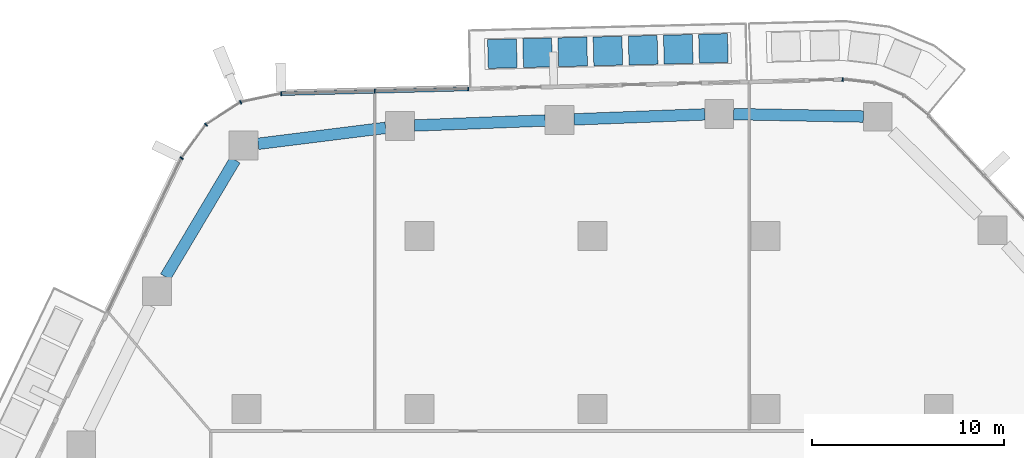
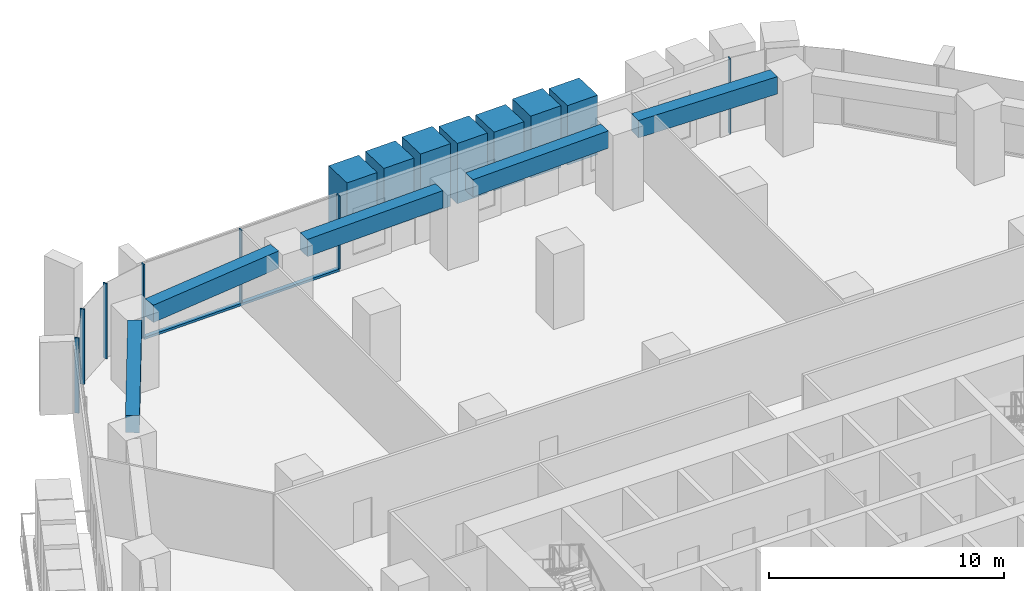
# One storey, part 8 of 23: 15 members, 5 beams, 3 elements without a shape of their own.
"""IFC4 building model written with IfcOpenShell, lengths in metres."""

from ifc_helpers import new_model, si_unit, direction, frame, origin, origin_2d, place, context, subcontext, project, spatial, rectangle, extrude, material, layer, layer_set, material_profile, profile_set, type_object, element, aggregate, save


model = new_model("IFC4")

# Units and contexts
model_context = context("Model", 3, precision=1e-05, world=origin(), true_north=direction((0.0, 1.0)))
body_context = subcontext(model_context, "Body", "Model", "MODEL_VIEW")
ifc_project = project(units=[si_unit("LENGTHUNIT", "METRE"), si_unit("AREAUNIT", "SQUARE_METRE"), si_unit("VOLUMEUNIT", "CUBIC_METRE"), si_unit("PLANEANGLEUNIT", "RADIAN"), si_unit("MASSUNIT", "GRAM", prefix="KILO")], contexts=[model_context])

# Site, building, storey
site_placement = place(None, origin())
site = spatial("IfcSite", under=ifc_project, at=site_placement, CompositionType="ELEMENT")
building_placement = place(site_placement, origin())
building = spatial("IfcBuilding", under=site, at=building_placement, Name="Dongbaek Canopy Tower", CompositionType="ELEMENT")
storey_placement = place(building_placement, frame((0.0, 0.0, 84.699951171875)))
storey = spatial("IfcBuildingStorey", under=building, at=storey_placement, Name="L17", CompositionType="ELEMENT", Elevation=84.699951171875)

# Curtain wall, member
ifc_material_1 = material(Name="Aluminium 6063-T6 pale anodised", Category="aluminium")
ifc_layer = layer(ifc_material_1, 0.199951171875)
ifc_layer_set = layer_set([ifc_layer], Name="CW-1 unitised tower curtain wall")
curtain_wall_type = type_object("IfcCurtainWallType", Name="CW-1 unitised tower curtain wall", PredefinedType="NOTDEFINED", material=ifc_layer_set)
curtain_wall_1_placement = place(storey_placement, origin())
curtain_wall_1 = element("IfcCurtainWall", 1, at=curtain_wall_1_placement, inside=storey, type_object=curtain_wall_type, Name="CW-1 curtain wall K1.1", PredefinedType="NOTDEFINED")
ifc_material_2 = material(Name="Aluminium 6063-T6 pale anodised", Category="aluminium")
ifc_material_profile_1 = material_profile(ifc_material_2, rectangle(XDim=0.199951171875, YDim=0.06005859375, at=origin_2d()), Name="CW-1 mullion 60 x 200")
ifc_profile_set_1 = profile_set([ifc_material_profile_1], Name="Aluminium 6063-T6 pale anodised")
member_type_1 = type_object("IfcMemberType", Name="CW-1 mullion 60 x 200", PredefinedType="MULLION", material=ifc_profile_set_1)
member_1_placement = place(storey_placement, frame((13.006103515625, 35.13134765625, 0.0), z_axis=(0.0, 0.0, 1.0), x_axis=(0.115864166718, 0.993265067779, 0.0)))
member_1 = element("IfcMember", 2, at=member_1_placement, type_object=member_type_1, Name="CW-1 mullion K1.1.4", PredefinedType="MULLION", context=body_context, shape_type="SweptSolid", body=[
    extrude(rectangle(XDim=0.199951171875, YDim=0.06005859375, at=origin_2d()), origin(), (0.0, 0.0, 1.0), 3.900146484375),
])
aggregate(curtain_wall_1, [member_1])

# Curtain wall, members
curtain_wall_2_placement = place(storey_placement, origin())
curtain_wall_2 = element("IfcCurtainWall", 3, at=curtain_wall_2_placement, inside=storey, type_object=curtain_wall_type, Name="CW-1 curtain wall F1.1", PredefinedType="NOTDEFINED")
member_2_placement = place(storey_placement, frame((-6.457763671875, 34.64208984375, 0.1201171875), z_axis=(0.0, 0.0, 1.0), x_axis=(-0.02511909418, 0.999684465773, 0.0)))
member_2 = element("IfcMember", 4, at=member_2_placement, type_object=member_type_1, Name="CW-1 mullion F1.1.1", PredefinedType="MULLION", context=body_context, shape_type="SweptSolid", body=[
    extrude(rectangle(XDim=0.199951171875, YDim=0.06005859375, at=origin_2d()), origin(), (0.0, 0.0, 1.0), 3.780029296875),
])
member_3_placement = place(storey_placement, frame((-11.325439453125, 34.519775390625, 0.1201171875), z_axis=(0.0, 0.0, 1.0), x_axis=(-0.02511909418, 0.999684465773, 0.0)))
member_3 = element("IfcMember", 5, at=member_3_placement, type_object=member_type_1, Name="CW-1 mullion F1.1.2", PredefinedType="MULLION", context=body_context, shape_type="SweptSolid", body=[
    extrude(rectangle(XDim=0.199951171875, YDim=0.06005859375, at=origin_2d()), origin(), (0.0, 0.0, 1.0), 3.780029296875),
])
member_4_placement = place(storey_placement, frame((-16.18408203125, 34.397705078125, 0.1201171875), z_axis=(0.0, 0.0, 1.0), x_axis=(-0.02511909418, 0.999684465773, 0.0)))
member_4 = element("IfcMember", 6, at=member_4_placement, type_object=member_type_1, Name="CW-1 mullion F1.1.3", PredefinedType="MULLION", context=body_context, shape_type="SweptSolid", body=[
    extrude(rectangle(XDim=0.199951171875, YDim=0.06005859375, at=origin_2d()), origin(), (0.0, 0.0, 1.0), 3.780029296875),
])

curtain_wall_3_placement = place(storey_placement, origin())
curtain_wall_3 = element("IfcCurtainWall", 7, at=curtain_wall_3_placement, inside=storey, type_object=curtain_wall_type, Name="CW-1 curtain wall K2.1", PredefinedType="NOTDEFINED")
member_5_placement = place(storey_placement, frame((-18.293212890625, 33.952392578125, 0.0), z_axis=(0.0, 0.0, 1.0), x_axis=(-0.381155192232, 0.924511070477, 0.0)))
member_5 = element("IfcMember", 8, at=member_5_placement, type_object=member_type_1, Name="CW-1 mullion K2.1.2", PredefinedType="MULLION", context=body_context, shape_type="SweptSolid", body=[
    extrude(rectangle(XDim=0.199951171875, YDim=0.06005859375, at=origin_2d()), origin(), (0.0, 0.0, 1.0), 3.900146484375),
])
member_6_placement = place(storey_placement, frame((-20.095458984375, 32.787109375, 0.0), z_axis=(0.0, 0.0, 1.0), x_axis=(-0.686721485984, 0.726920628878, 0.0)))
member_6 = element("IfcMember", 9, at=member_6_placement, type_object=member_type_1, Name="CW-1 mullion K2.1.3", PredefinedType="MULLION", context=body_context, shape_type="SweptSolid", body=[
    extrude(rectangle(XDim=0.199951171875, YDim=0.06005859375, at=origin_2d()), origin(), (0.0, 0.0, 1.0), 3.900146484375),
])
member_7_placement = place(storey_placement, frame((-21.366943359375, 31.04638671875, 0.0), z_axis=(0.0, 0.0, 1.0), x_axis=(-0.807517477071, 0.589843643879, 0.0)))
member_7 = element("IfcMember", 10, at=member_7_placement, type_object=member_type_1, Name="CW-1 mullion K2.1.4", PredefinedType="MULLION", context=body_context, shape_type="SweptSolid", body=[
    extrude(rectangle(XDim=0.199951171875, YDim=0.06005859375, at=origin_2d()), origin(), (0.0, 0.0, 1.0), 3.900146484375),
])
aggregate(curtain_wall_3, [member_5, member_6, member_7])

# Member
ifc_material_3 = material(Name="Aluminium 6063-T6 pale anodised", Category="aluminium")
ifc_material_profile_2 = material_profile(ifc_material_3, rectangle(XDim=0.199951171875, YDim=0.1201171875, at=origin_2d()), Name="CW-1 transom 120 x 200")
ifc_profile_set_2 = profile_set([ifc_material_profile_2], Name="Aluminium 6063-T6 pale anodised")
member_type_2 = type_object("IfcMemberType", Name="CW-1 transom 120 x 200", PredefinedType="USERDEFINED", material=ifc_profile_set_2)
member_8_placement = place(storey_placement, frame((-6.457763671875, 34.64208984375, 0.06005859375), z_axis=(-0.999684488113, -0.025118205091, 0.0), x_axis=(0.025118205091, -0.999684488113, 0.0)))
member_8 = element("IfcMember", 11, at=member_8_placement, type_object=member_type_2, Name="CW-1 transom F1.1.1", ObjectType="TRANSOM", PredefinedType="USERDEFINED", context=body_context, shape_type="SweptSolid", body=[
    extrude(rectangle(XDim=0.199951171875, YDim=0.1201171875, at=origin_2d()), origin(), (0.0, 0.0, 1.0), 9.7294921875),
])

aggregate(curtain_wall_2, [member_2, member_3, member_4, member_8])

# Beams
ifc_material_4 = material(Name="Concrete C80", Category="concrete")
ifc_material_profile_3 = material_profile(ifc_material_4, rectangle(XDim=0.60009765625, YDim=0.89990234375, at=origin_2d()), Name="RC EDGE BEAM 600x900 C80")
ifc_profile_set_3 = profile_set([ifc_material_profile_3], Name="Concrete C80")
beam_type = type_object("IfcBeamType", Name="RC EDGE BEAM 600x900 C80", PredefinedType="BEAM", material=ifc_profile_set_3)
beam_1_placement = place(storey_placement, frame((-22.201416015625, 24.875, 3.449951171875), z_axis=(0.511536684445, 0.859261438951, 0.0), x_axis=(-0.859261438951, 0.511536684445, 0.0)))
element("IfcBeam", 12, at=beam_1_placement, inside=storey, type_object=beam_type, Name="EDGEBEAM:L17:12", PredefinedType="BEAM", context=body_context, shape_type="SweptSolid", body=[
    extrude(rectangle(XDim=0.60009765625, YDim=0.89990234375, at=origin_2d()), origin(), (0.0, 0.0, 1.0), 7.06884765625),
])
beam_2_placement = place(storey_placement, frame((-17.388916015625, 31.79248046875, 3.449951171875), z_axis=(0.992300337098, 0.123854919137, 0.0), x_axis=(-0.123854919137, 0.992300337098, 0.0)))
element("IfcBeam", 13, at=beam_2_placement, inside=storey, type_object=beam_type, Name="EDGEBEAM:L17:13", PredefinedType="BEAM", context=body_context, shape_type="SweptSolid", body=[
    extrude(rectangle(XDim=0.60009765625, YDim=0.89990234375, at=origin_2d()), origin(), (0.0, 0.0, 1.0), 6.684326171875),
])
beam_3_placement = place(storey_placement, frame((-9.256103515625, 32.74267578125, 3.449951171875), z_axis=(0.999265250645, 0.038326999019, 0.0), x_axis=(-0.038326999019, 0.999265250645, 0.0)))
element("IfcBeam", 14, at=beam_3_placement, inside=storey, type_object=beam_type, Name="EDGEBEAM:L17:14", PredefinedType="BEAM", context=body_context, shape_type="SweptSolid", body=[
    extrude(rectangle(XDim=0.60009765625, YDim=0.89990234375, at=origin_2d()), origin(), (0.0, 0.0, 1.0), 6.802978515625),
])
beam_4_placement = place(storey_placement, frame((-0.9580078125, 33.060791015625, 3.449951171875), z_axis=(0.99927189778, 0.038153300073, 0.0), x_axis=(-0.038153300073, 0.99927189778, 0.0)))
element("IfcBeam", 15, at=beam_4_placement, inside=storey, type_object=beam_type, Name="EDGEBEAM:L17:15", PredefinedType="BEAM", context=body_context, shape_type="SweptSolid", body=[
    extrude(rectangle(XDim=0.60009765625, YDim=0.89990234375, at=origin_2d()), origin(), (0.0, 0.0, 1.0), 6.802001953125),
])
beam_5_placement = place(storey_placement, frame((7.339111328125, 33.3349609375, 3.449951171875), z_axis=(0.999822704828, -0.018829734762, 0.0), x_axis=(0.018829734762, 0.999822704828, 0.0)))
element("IfcBeam", 16, at=beam_5_placement, inside=storey, type_object=beam_type, Name="EDGEBEAM:L17:16", PredefinedType="BEAM", context=body_context, shape_type="SweptSolid", body=[
    extrude(rectangle(XDim=0.60009765625, YDim=0.89990234375, at=origin_2d()), origin(), (0.0, 0.0, 1.0), 6.7421875),
])

# Members
ifc_material_5 = material(Name="Concrete C40/50 planter mass with planting", Category="concrete")
ifc_material_profile_4 = material_profile(ifc_material_5, rectangle(XDim=1.5, YDim=1.5, at=origin_2d()), Name="Terrace PLANTER shrub mass 1500 x 1500")
ifc_profile_set_4 = profile_set([ifc_material_profile_4], Name="Concrete C40/50 planter mass with planting")
member_type_3 = type_object("IfcMemberType", Name="Terrace PLANTER shrub mass 1500 x 1500", PredefinedType="USERDEFINED", material=ifc_profile_set_4)
member_9_placement = place(storey_placement, frame((6.286376953125, 36.7529296875, 0.420166015625), z_axis=(0.0, 0.0, 1.0), x_axis=(-0.02511909418, 0.999684465773, 0.0)))
element("IfcMember", 17, at=member_9_placement, inside=storey, type_object=member_type_3, Name="Planter shrubs L17 1.1", ObjectType="PLANTER", PredefinedType="USERDEFINED", context=body_context, shape_type="SweptSolid", body=[
    extrude(rectangle(XDim=1.5, YDim=1.5, at=origin_2d()), origin(), (0.0, 0.0, 1.0), 3.08984375),
])
member_10_placement = place(storey_placement, frame((4.457275390625, 36.70703125, 0.420166015625), z_axis=(0.0, 0.0, 1.0), x_axis=(-0.02511909418, 0.999684465773, 0.0)))
element("IfcMember", 18, at=member_10_placement, inside=storey, type_object=member_type_3, Name="Planter shrubs L17 1.2", ObjectType="PLANTER", PredefinedType="USERDEFINED", context=body_context, shape_type="SweptSolid", body=[
    extrude(rectangle(XDim=1.5, YDim=1.5, at=origin_2d()), origin(), (0.0, 0.0, 1.0), 3.2099609375),
])
member_11_placement = place(storey_placement, frame((2.628173828125, 36.6611328125, 0.420166015625), z_axis=(0.0, 0.0, 1.0), x_axis=(-0.02511909418, 0.999684465773, 0.0)))
element("IfcMember", 19, at=member_11_placement, inside=storey, type_object=member_type_3, Name="Planter shrubs L17 1.3", ObjectType="PLANTER", PredefinedType="USERDEFINED", context=body_context, shape_type="SweptSolid", body=[
    extrude(rectangle(XDim=1.5, YDim=1.5, at=origin_2d()), origin(), (0.0, 0.0, 1.0), 3.0498046875),
])
member_12_placement = place(storey_placement, frame((0.799072265625, 36.614990234375, 0.420166015625), z_axis=(0.0, 0.0, 1.0), x_axis=(-0.02511909418, 0.999684465773, 0.0)))
element("IfcMember", 20, at=member_12_placement, inside=storey, type_object=member_type_3, Name="Planter shrubs L17 1.4", ObjectType="PLANTER", PredefinedType="USERDEFINED", context=body_context, shape_type="SweptSolid", body=[
    extrude(rectangle(XDim=1.5, YDim=1.5, at=origin_2d()), origin(), (0.0, 0.0, 1.0), 3.1298828125),
])
member_13_placement = place(storey_placement, frame((-1.030029296875, 36.569091796875, 0.420166015625), z_axis=(0.0, 0.0, 1.0), x_axis=(-0.02511909418, 0.999684465773, 0.0)))
element("IfcMember", 21, at=member_13_placement, inside=storey, type_object=member_type_3, Name="Planter shrubs L17 1.5", ObjectType="PLANTER", PredefinedType="USERDEFINED", context=body_context, shape_type="SweptSolid", body=[
    extrude(rectangle(XDim=1.5, YDim=1.5, at=origin_2d()), origin(), (0.0, 0.0, 1.0), 3.25),
])
member_14_placement = place(storey_placement, frame((-2.859375, 36.523193359375, 0.420166015625), z_axis=(0.0, 0.0, 1.0), x_axis=(-0.02511909418, 0.999684465773, 0.0)))
element("IfcMember", 22, at=member_14_placement, inside=storey, type_object=member_type_3, Name="Planter shrubs L17 1.6", ObjectType="PLANTER", PredefinedType="USERDEFINED", context=body_context, shape_type="SweptSolid", body=[
    extrude(rectangle(XDim=1.5, YDim=1.5, at=origin_2d()), origin(), (0.0, 0.0, 1.0), 3.169921875),
])
member_15_placement = place(storey_placement, frame((-4.6884765625, 36.477294921875, 0.420166015625), z_axis=(0.0, 0.0, 1.0), x_axis=(-0.02511909418, 0.999684465773, 0.0)))
element("IfcMember", 23, at=member_15_placement, inside=storey, type_object=member_type_3, Name="Planter shrubs L17 1.7", ObjectType="PLANTER", PredefinedType="USERDEFINED", context=body_context, shape_type="SweptSolid", body=[
    extrude(rectangle(XDim=1.5, YDim=1.5, at=origin_2d()), origin(), (0.0, 0.0, 1.0), 3.08984375),
])

save(model, "model.ifc")
